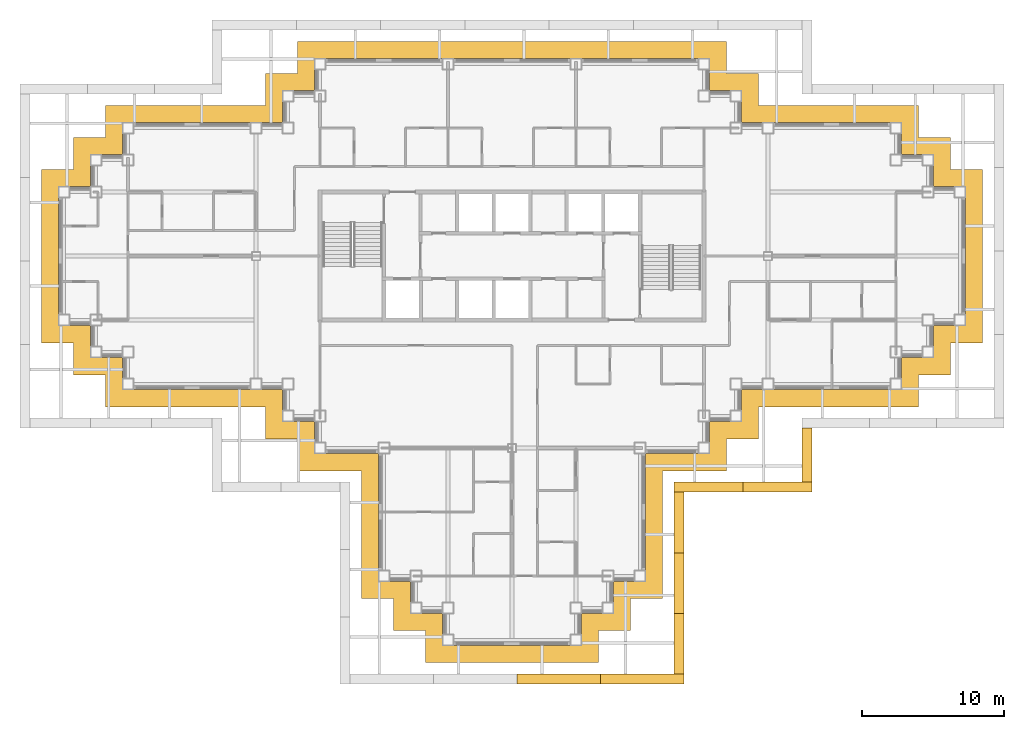
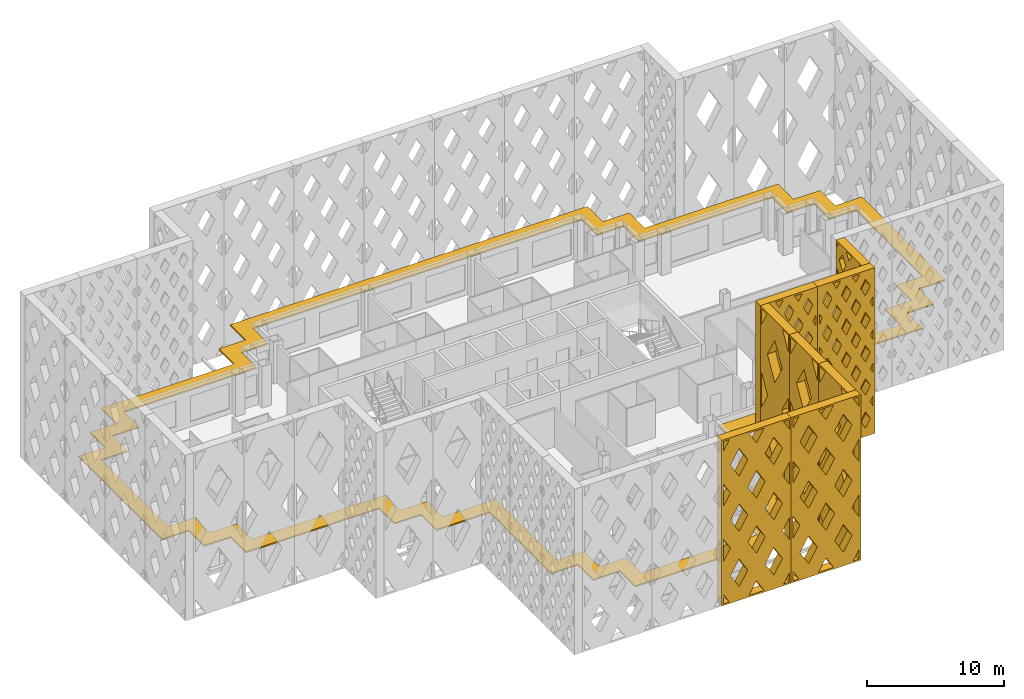
# One storey, part 15 of 19: 9 shading devices.
"""IFC4 building model written with IfcOpenShell, lengths in metres."""

from ifc_helpers import new_model, si_unit, direction, frame, origin, place, context, subcontext, project, spatial, polyline, outline, extrude, material, layer, layer_set, type_object, element, save


model = new_model("IFC4")

# Units and contexts
model_context = context("Model", 3, precision=1e-05, world=origin(), true_north=direction((0.0, 1.0)))
body_context = subcontext(model_context, "Body", "Model", "MODEL_VIEW")
ifc_project = project(units=[si_unit("LENGTHUNIT", "METRE"), si_unit("AREAUNIT", "SQUARE_METRE"), si_unit("VOLUMEUNIT", "CUBIC_METRE"), si_unit("PLANEANGLEUNIT", "RADIAN"), si_unit("MASSUNIT", "GRAM", prefix="KILO")], contexts=[model_context])

# Site, building, storey
site_placement = place(None, origin())
site = spatial("IfcSite", under=ifc_project, at=site_placement, CompositionType="ELEMENT")
building_placement = place(site_placement, origin())
building = spatial("IfcBuilding", under=site, at=building_placement, Name="Caravel Reach Hotel and Residences", CompositionType="ELEMENT")
storey_placement = place(building_placement, frame((0.0, 0.0, 150.60009765625)))
storey = spatial("IfcBuildingStorey", under=building, at=storey_placement, Name="L37", CompositionType="ELEMENT", Elevation=150.60009765625)

# Shading devices
ifc_material_1 = material(Name="Black powder-coated aluminium", Category="aluminium")
shading_device_type_1 = type_object("IfcShadingDeviceType", Name="Diamond lattice screen panel 3800 x 14800", PredefinedType="USERDEFINED", material=ifc_material_1)
shading_device_1_placement = place(storey_placement, frame((51.89990234375, 11.10009765625, 0.0), z_axis=(1.0, 0.0, 0.0), x_axis=(0.0, 1.0, 0.0)))
element("IfcShadingDevice", 1, at=shading_device_1_placement, inside=storey, type_object=shading_device_type_1, Name="Lattice screen L37-L40 5.1", ObjectType="SCREEN", PredefinedType="USERDEFINED", context=body_context, shape_type="SweptSolid", body=[
    extrude(outline(polyline([(0.0, 0.0), (3.800048828125, 0.0), (3.800048828125, 14.800048828125), (0.0, 14.800048828125), (0.0, 0.0)]), holes=[polyline([(0.389892578125, 0.14990234375), (0.14990234375, 0.523681640625), (0.14990234375, 0.14990234375), (0.389892578125, 0.14990234375)]), polyline([(0.486083984375, 2.9599609375), (0.14990234375, 3.483642578125), (0.14990234375, 2.436279296875), (0.486083984375, 2.9599609375)]), polyline([(0.486083984375, 5.919921875), (0.14990234375, 6.44384765625), (0.14990234375, 5.396240234375), (0.486083984375, 5.919921875)]), polyline([(0.486083984375, 8.8798828125), (0.14990234375, 9.40380859375), (0.14990234375, 8.356201171875), (0.486083984375, 8.8798828125)]), polyline([(0.486083984375, 11.840087890625), (0.14990234375, 12.36376953125), (0.14990234375, 11.316162109375), (0.486083984375, 11.840087890625)]), polyline([(0.14990234375, 14.2763671875), (0.389892578125, 14.64990234375), (0.14990234375, 14.64990234375), (0.14990234375, 14.2763671875)]), polyline([(0.949951171875, 2.237548828125), (0.4638671875, 1.47998046875), (0.949951171875, 0.72265625), (1.436279296875, 1.47998046875), (0.949951171875, 2.237548828125)]), polyline([(0.949951171875, 5.197509765625), (0.4638671875, 4.43994140625), (0.949951171875, 3.6826171875), (1.436279296875, 4.43994140625), (0.949951171875, 5.197509765625)]), polyline([(0.949951171875, 8.157470703125), (0.4638671875, 7.39990234375), (0.949951171875, 6.642578125), (1.436279296875, 7.39990234375), (0.949951171875, 8.157470703125)]), polyline([(0.949951171875, 11.117431640625), (0.4638671875, 10.360107421875), (0.949951171875, 9.6025390625), (1.436279296875, 10.360107421875), (0.949951171875, 11.117431640625)]), polyline([(0.949951171875, 14.077392578125), (0.4638671875, 13.320068359375), (0.949951171875, 12.5625), (1.436279296875, 13.320068359375), (0.949951171875, 14.077392578125)]), polyline([(1.89990234375, 0.75732421875), (1.510009765625, 0.14990234375), (2.289794921875, 0.14990234375), (1.89990234375, 0.75732421875)]), polyline([(1.89990234375, 3.717529296875), (1.413818359375, 2.9599609375), (1.89990234375, 2.20263671875), (2.38623046875, 2.9599609375), (1.89990234375, 3.717529296875)]), polyline([(1.89990234375, 6.677490234375), (1.413818359375, 5.919921875), (1.89990234375, 5.16259765625), (2.38623046875, 5.919921875), (1.89990234375, 6.677490234375)]), polyline([(1.89990234375, 9.637451171875), (1.413818359375, 8.8798828125), (1.89990234375, 8.12255859375), (2.38623046875, 8.8798828125), (1.89990234375, 9.637451171875)]), polyline([(1.89990234375, 12.597412109375), (1.413818359375, 11.840087890625), (1.89990234375, 11.08251953125), (2.38623046875, 11.840087890625), (1.89990234375, 12.597412109375)]), polyline([(1.89990234375, 14.04248046875), (2.289794921875, 14.64990234375), (1.510009765625, 14.64990234375), (1.89990234375, 14.04248046875)]), polyline([(2.85009765625, 2.237548828125), (2.36376953125, 1.47998046875), (2.85009765625, 0.72265625), (3.336181640625, 1.47998046875), (2.85009765625, 2.237548828125)]), polyline([(2.85009765625, 5.197509765625), (2.36376953125, 4.43994140625), (2.85009765625, 3.6826171875), (3.336181640625, 4.43994140625), (2.85009765625, 5.197509765625)]), polyline([(2.85009765625, 8.157470703125), (2.36376953125, 7.39990234375), (2.85009765625, 6.642578125), (3.336181640625, 7.39990234375), (2.85009765625, 8.157470703125)]), polyline([(2.85009765625, 11.117431640625), (2.36376953125, 10.360107421875), (2.85009765625, 9.6025390625), (3.336181640625, 10.360107421875), (2.85009765625, 11.117431640625)]), polyline([(2.85009765625, 14.077392578125), (2.36376953125, 13.320068359375), (2.85009765625, 12.5625), (3.336181640625, 13.320068359375), (2.85009765625, 14.077392578125)]), polyline([(3.64990234375, 0.523681640625), (3.41015625, 0.14990234375), (3.64990234375, 0.14990234375), (3.64990234375, 0.523681640625)]), polyline([(3.313720703125, 2.9599609375), (3.64990234375, 2.436279296875), (3.64990234375, 3.483642578125), (3.313720703125, 2.9599609375)]), polyline([(3.313720703125, 5.919921875), (3.64990234375, 5.396240234375), (3.64990234375, 6.44384765625), (3.313720703125, 5.919921875)]), polyline([(3.313720703125, 8.8798828125), (3.64990234375, 8.356201171875), (3.64990234375, 9.40380859375), (3.313720703125, 8.8798828125)]), polyline([(3.313720703125, 11.840087890625), (3.64990234375, 11.316162109375), (3.64990234375, 12.36376953125), (3.313720703125, 11.840087890625)]), polyline([(3.41015625, 14.64990234375), (3.64990234375, 14.2763671875), (3.64990234375, 14.64990234375), (3.41015625, 14.64990234375)])]), origin(), (0.0, 0.0, 1.0), 0.7001953125),
])
ifc_material_2 = material(Name="Black powder-coated aluminium", Category="aluminium")
shading_device_type_2 = type_object("IfcShadingDeviceType", Name="Diamond lattice screen panel 4267 x 14800", PredefinedType="USERDEFINED", material=ifc_material_2)
for number, where, z_axis, x_axis, name in (
    (2, (42.89990234375, -2.39990234375, 0.0), (1.0, 0.0, 0.0), (0.0, 1.0, 0.0), "Lattice screen L37-L40 3.1"),
    (3, (42.89990234375, 1.86669921875, 0.0), (1.0, 0.0, 0.0), (0.0, 1.0, 0.0), "Lattice screen L37-L40 3.2"),
    (4, (42.89990234375, 6.13330078125, 0.0), (1.0, 0.0, 0.0), (0.0, 1.0, 0.0), "Lattice screen L37-L40 3.3"),
):
    element("IfcShadingDevice", number, at=place(storey_placement, frame(where, z_axis=z_axis, x_axis=x_axis)), inside=storey, type_object=shading_device_type_2, Name=name, ObjectType="SCREEN", PredefinedType="USERDEFINED", context=body_context, shape_type="SweptSolid", body=[
        extrude(outline(polyline([(0.0, 0.0), (4.2666015625, 0.0), (4.2666015625, 14.800048828125), (0.0, 14.800048828125), (0.0, 0.0)]), holes=[polyline([(1.005615234375, 0.14990234375), (0.14990234375, 1.634033203125), (0.14990234375, 0.14990234375), (1.005615234375, 0.14990234375)]), polyline([(1.092041015625, 7.39990234375), (0.14990234375, 9.033935546875), (0.14990234375, 5.76611328125), (1.092041015625, 7.39990234375)]), polyline([(0.14990234375, 13.166015625), (1.005615234375, 14.64990234375), (0.14990234375, 14.64990234375), (0.14990234375, 13.166015625)]), polyline([(2.13330078125, 5.593994140625), (1.041259765625, 3.699951171875), (2.13330078125, 1.805908203125), (3.225341796875, 3.699951171875), (2.13330078125, 5.593994140625)]), polyline([(2.13330078125, 12.994140625), (1.041259765625, 11.10009765625), (2.13330078125, 9.205810546875), (3.225341796875, 11.10009765625), (2.13330078125, 12.994140625)]), polyline([(4.11669921875, 1.634033203125), (3.260986328125, 0.14990234375), (4.11669921875, 0.14990234375), (4.11669921875, 1.634033203125)]), polyline([(3.174560546875, 7.39990234375), (4.11669921875, 5.76611328125), (4.11669921875, 9.033935546875), (3.174560546875, 7.39990234375)]), polyline([(3.260986328125, 14.64990234375), (4.11669921875, 13.166015625), (4.11669921875, 14.64990234375), (3.260986328125, 14.64990234375)])]), origin(), (0.0, 0.0, 1.0), 0.7001953125),
    ])
ifc_material_3 = material(Name="Black powder-coated aluminium", Category="aluminium")
shading_device_type_3 = type_object("IfcShadingDeviceType", Name="Diamond lattice screen panel 4850 x 14800", PredefinedType="USERDEFINED", material=ifc_material_3)
shading_device_2_placement = place(storey_placement, frame((42.89990234375, 11.10009765625, 0.0), z_axis=(0.0, -1.0, 0.0), x_axis=(1.0, 0.0, 0.0)))
element("IfcShadingDevice", 5, at=shading_device_2_placement, inside=storey, type_object=shading_device_type_3, Name="Lattice screen L37-L40 4.1", ObjectType="SCREEN", PredefinedType="USERDEFINED", context=body_context, shape_type="SweptSolid", body=[
    extrude(outline(polyline([(0.0, 0.0), (4.85009765625, 0.0), (4.85009765625, 14.800048828125), (0.0, 14.800048828125), (0.0, 0.0)]), holes=[polyline([(0.408203125, 2.9599609375), (0.14990234375, 3.432861328125), (0.14990234375, 2.4873046875), (0.408203125, 2.9599609375)]), polyline([(0.408203125, 5.919921875), (0.14990234375, 6.392822265625), (0.14990234375, 5.447265625), (0.408203125, 5.919921875)]), polyline([(0.408203125, 8.8798828125), (0.14990234375, 9.352783203125), (0.14990234375, 8.4072265625), (0.408203125, 8.8798828125)]), polyline([(0.408203125, 11.840087890625), (0.14990234375, 12.312744140625), (0.14990234375, 11.3671875), (0.408203125, 11.840087890625)]), polyline([(0.808349609375, 2.2275390625), (0.400146484375, 1.47998046875), (0.808349609375, 0.732666015625), (1.216552734375, 1.47998046875), (0.808349609375, 2.2275390625)]), polyline([(0.808349609375, 5.1875), (0.400146484375, 4.43994140625), (0.808349609375, 3.692626953125), (1.216552734375, 4.43994140625), (0.808349609375, 5.1875)]), polyline([(0.808349609375, 8.1474609375), (0.400146484375, 7.39990234375), (0.808349609375, 6.652587890625), (1.216552734375, 7.39990234375), (0.808349609375, 8.1474609375)]), polyline([(0.808349609375, 11.107421875), (0.400146484375, 10.360107421875), (0.808349609375, 9.612548828125), (1.216552734375, 10.360107421875), (0.808349609375, 11.107421875)]), polyline([(0.808349609375, 14.0673828125), (0.400146484375, 13.320068359375), (0.808349609375, 12.572509765625), (1.216552734375, 13.320068359375), (0.808349609375, 14.0673828125)]), polyline([(1.61669921875, 0.747314453125), (1.290283203125, 0.14990234375), (1.94287109375, 0.14990234375), (1.61669921875, 0.747314453125)]), polyline([(1.61669921875, 3.70751953125), (1.20849609375, 2.9599609375), (1.61669921875, 2.212646484375), (2.02490234375, 2.9599609375), (1.61669921875, 3.70751953125)]), polyline([(1.61669921875, 6.66748046875), (1.20849609375, 5.919921875), (1.61669921875, 5.172607421875), (2.02490234375, 5.919921875), (1.61669921875, 6.66748046875)]), polyline([(1.61669921875, 9.62744140625), (1.20849609375, 8.8798828125), (1.61669921875, 8.132568359375), (2.02490234375, 8.8798828125), (1.61669921875, 9.62744140625)]), polyline([(1.61669921875, 12.58740234375), (1.20849609375, 11.840087890625), (1.61669921875, 11.092529296875), (2.02490234375, 11.840087890625), (1.61669921875, 12.58740234375)]), polyline([(1.61669921875, 14.052490234375), (1.94287109375, 14.64990234375), (1.290283203125, 14.64990234375), (1.61669921875, 14.052490234375)]), polyline([(2.425048828125, 2.2275390625), (2.016845703125, 1.47998046875), (2.425048828125, 0.732666015625), (2.833251953125, 1.47998046875), (2.425048828125, 2.2275390625)]), polyline([(2.425048828125, 5.1875), (2.016845703125, 4.43994140625), (2.425048828125, 3.692626953125), (2.833251953125, 4.43994140625), (2.425048828125, 5.1875)]), polyline([(2.425048828125, 8.1474609375), (2.016845703125, 7.39990234375), (2.425048828125, 6.652587890625), (2.833251953125, 7.39990234375), (2.425048828125, 8.1474609375)]), polyline([(2.425048828125, 11.107421875), (2.016845703125, 10.360107421875), (2.425048828125, 9.612548828125), (2.833251953125, 10.360107421875), (2.425048828125, 11.107421875)]), polyline([(2.425048828125, 14.0673828125), (2.016845703125, 13.320068359375), (2.425048828125, 12.572509765625), (2.833251953125, 13.320068359375), (2.425048828125, 14.0673828125)]), polyline([(3.2333984375, 0.747314453125), (2.906982421875, 0.14990234375), (3.5595703125, 0.14990234375), (3.2333984375, 0.747314453125)]), polyline([(3.2333984375, 3.70751953125), (2.8251953125, 2.9599609375), (3.2333984375, 2.212646484375), (3.6416015625, 2.9599609375), (3.2333984375, 3.70751953125)]), polyline([(3.2333984375, 6.66748046875), (2.8251953125, 5.919921875), (3.2333984375, 5.172607421875), (3.6416015625, 5.919921875), (3.2333984375, 6.66748046875)]), polyline([(3.2333984375, 9.62744140625), (2.8251953125, 8.8798828125), (3.2333984375, 8.132568359375), (3.6416015625, 8.8798828125), (3.2333984375, 9.62744140625)]), polyline([(3.2333984375, 12.58740234375), (2.8251953125, 11.840087890625), (3.2333984375, 11.092529296875), (3.6416015625, 11.840087890625), (3.2333984375, 12.58740234375)]), polyline([(3.2333984375, 14.052490234375), (3.5595703125, 14.64990234375), (2.906982421875, 14.64990234375), (3.2333984375, 14.052490234375)]), polyline([(4.041748046875, 2.2275390625), (3.633544921875, 1.47998046875), (4.041748046875, 0.732666015625), (4.449951171875, 1.47998046875), (4.041748046875, 2.2275390625)]), polyline([(4.041748046875, 5.1875), (3.633544921875, 4.43994140625), (4.041748046875, 3.692626953125), (4.449951171875, 4.43994140625), (4.041748046875, 5.1875)]), polyline([(4.041748046875, 8.1474609375), (3.633544921875, 7.39990234375), (4.041748046875, 6.652587890625), (4.449951171875, 7.39990234375), (4.041748046875, 8.1474609375)]), polyline([(4.041748046875, 11.107421875), (3.633544921875, 10.360107421875), (4.041748046875, 9.612548828125), (4.449951171875, 10.360107421875), (4.041748046875, 11.107421875)]), polyline([(4.041748046875, 14.0673828125), (3.633544921875, 13.320068359375), (4.041748046875, 12.572509765625), (4.449951171875, 13.320068359375), (4.041748046875, 14.0673828125)]), polyline([(4.44189453125, 2.9599609375), (4.699951171875, 2.4873046875), (4.699951171875, 3.432861328125), (4.44189453125, 2.9599609375)]), polyline([(4.44189453125, 5.919921875), (4.699951171875, 5.447265625), (4.699951171875, 6.392822265625), (4.44189453125, 5.919921875)]), polyline([(4.44189453125, 8.8798828125), (4.699951171875, 8.4072265625), (4.699951171875, 9.352783203125), (4.44189453125, 8.8798828125)]), polyline([(4.44189453125, 11.840087890625), (4.699951171875, 11.3671875), (4.699951171875, 12.312744140625), (4.44189453125, 11.840087890625)])]), origin(), (0.0, 0.0, 1.0), 0.7001953125),
])
shading_device_3_placement = place(storey_placement, frame((47.75, 11.10009765625, 0.0), z_axis=(0.0, -1.0, 0.0), x_axis=(1.0, 0.0, 0.0)))
element("IfcShadingDevice", 6, at=shading_device_3_placement, inside=storey, type_object=shading_device_type_3, Name="Lattice screen L37-L40 4.2", ObjectType="SCREEN", PredefinedType="USERDEFINED", context=body_context, shape_type="SweptSolid", body=[
    extrude(outline(polyline([(0.0, 0.0), (4.85009765625, 0.0), (4.85009765625, 14.800048828125), (0.0, 14.800048828125), (0.0, 0.0)]), holes=[polyline([(0.408203125, 2.9599609375), (0.14990234375, 3.432861328125), (0.14990234375, 2.4873046875), (0.408203125, 2.9599609375)]), polyline([(0.408203125, 5.919921875), (0.14990234375, 6.392822265625), (0.14990234375, 5.447265625), (0.408203125, 5.919921875)]), polyline([(0.408203125, 8.8798828125), (0.14990234375, 9.352783203125), (0.14990234375, 8.4072265625), (0.408203125, 8.8798828125)]), polyline([(0.408203125, 11.840087890625), (0.14990234375, 12.312744140625), (0.14990234375, 11.3671875), (0.408203125, 11.840087890625)]), polyline([(0.808349609375, 2.2275390625), (0.400146484375, 1.47998046875), (0.808349609375, 0.732666015625), (1.216552734375, 1.47998046875), (0.808349609375, 2.2275390625)]), polyline([(0.808349609375, 5.1875), (0.400146484375, 4.43994140625), (0.808349609375, 3.692626953125), (1.216552734375, 4.43994140625), (0.808349609375, 5.1875)]), polyline([(0.808349609375, 8.1474609375), (0.400146484375, 7.39990234375), (0.808349609375, 6.652587890625), (1.216552734375, 7.39990234375), (0.808349609375, 8.1474609375)]), polyline([(0.808349609375, 11.107421875), (0.400146484375, 10.360107421875), (0.808349609375, 9.612548828125), (1.216552734375, 10.360107421875), (0.808349609375, 11.107421875)]), polyline([(0.808349609375, 14.0673828125), (0.400146484375, 13.320068359375), (0.808349609375, 12.572509765625), (1.216552734375, 13.320068359375), (0.808349609375, 14.0673828125)]), polyline([(1.61669921875, 0.747314453125), (1.290283203125, 0.14990234375), (1.94287109375, 0.14990234375), (1.61669921875, 0.747314453125)]), polyline([(1.61669921875, 3.70751953125), (1.20849609375, 2.9599609375), (1.61669921875, 2.212646484375), (2.02490234375, 2.9599609375), (1.61669921875, 3.70751953125)]), polyline([(1.61669921875, 6.66748046875), (1.20849609375, 5.919921875), (1.61669921875, 5.172607421875), (2.02490234375, 5.919921875), (1.61669921875, 6.66748046875)]), polyline([(1.61669921875, 9.62744140625), (1.20849609375, 8.8798828125), (1.61669921875, 8.132568359375), (2.02490234375, 8.8798828125), (1.61669921875, 9.62744140625)]), polyline([(1.61669921875, 12.58740234375), (1.20849609375, 11.840087890625), (1.61669921875, 11.092529296875), (2.02490234375, 11.840087890625), (1.61669921875, 12.58740234375)]), polyline([(1.61669921875, 14.052490234375), (1.94287109375, 14.64990234375), (1.290283203125, 14.64990234375), (1.61669921875, 14.052490234375)]), polyline([(2.425048828125, 2.2275390625), (2.016845703125, 1.47998046875), (2.425048828125, 0.732666015625), (2.833251953125, 1.47998046875), (2.425048828125, 2.2275390625)]), polyline([(2.425048828125, 5.1875), (2.016845703125, 4.43994140625), (2.425048828125, 3.692626953125), (2.833251953125, 4.43994140625), (2.425048828125, 5.1875)]), polyline([(2.425048828125, 8.1474609375), (2.016845703125, 7.39990234375), (2.425048828125, 6.652587890625), (2.833251953125, 7.39990234375), (2.425048828125, 8.1474609375)]), polyline([(2.425048828125, 11.107421875), (2.016845703125, 10.360107421875), (2.425048828125, 9.612548828125), (2.833251953125, 10.360107421875), (2.425048828125, 11.107421875)]), polyline([(2.425048828125, 14.0673828125), (2.016845703125, 13.320068359375), (2.425048828125, 12.572509765625), (2.833251953125, 13.320068359375), (2.425048828125, 14.0673828125)]), polyline([(3.2333984375, 0.747314453125), (2.906982421875, 0.14990234375), (3.5595703125, 0.14990234375), (3.2333984375, 0.747314453125)]), polyline([(3.2333984375, 3.70751953125), (2.8251953125, 2.9599609375), (3.2333984375, 2.212646484375), (3.6416015625, 2.9599609375), (3.2333984375, 3.70751953125)]), polyline([(3.2333984375, 6.66748046875), (2.8251953125, 5.919921875), (3.2333984375, 5.172607421875), (3.6416015625, 5.919921875), (3.2333984375, 6.66748046875)]), polyline([(3.2333984375, 9.62744140625), (2.8251953125, 8.8798828125), (3.2333984375, 8.132568359375), (3.6416015625, 8.8798828125), (3.2333984375, 9.62744140625)]), polyline([(3.2333984375, 12.58740234375), (2.8251953125, 11.840087890625), (3.2333984375, 11.092529296875), (3.6416015625, 11.840087890625), (3.2333984375, 12.58740234375)]), polyline([(3.2333984375, 14.052490234375), (3.5595703125, 14.64990234375), (2.906982421875, 14.64990234375), (3.2333984375, 14.052490234375)]), polyline([(4.041748046875, 2.2275390625), (3.633544921875, 1.47998046875), (4.041748046875, 0.732666015625), (4.449951171875, 1.47998046875), (4.041748046875, 2.2275390625)]), polyline([(4.041748046875, 5.1875), (3.633544921875, 4.43994140625), (4.041748046875, 3.692626953125), (4.449951171875, 4.43994140625), (4.041748046875, 5.1875)]), polyline([(4.041748046875, 8.1474609375), (3.633544921875, 7.39990234375), (4.041748046875, 6.652587890625), (4.449951171875, 7.39990234375), (4.041748046875, 8.1474609375)]), polyline([(4.041748046875, 11.107421875), (3.633544921875, 10.360107421875), (4.041748046875, 9.612548828125), (4.449951171875, 10.360107421875), (4.041748046875, 11.107421875)]), polyline([(4.041748046875, 14.0673828125), (3.633544921875, 13.320068359375), (4.041748046875, 12.572509765625), (4.449951171875, 13.320068359375), (4.041748046875, 14.0673828125)]), polyline([(4.44189453125, 2.9599609375), (4.699951171875, 2.4873046875), (4.699951171875, 3.432861328125), (4.44189453125, 2.9599609375)]), polyline([(4.44189453125, 5.919921875), (4.699951171875, 5.447265625), (4.699951171875, 6.392822265625), (4.44189453125, 5.919921875)]), polyline([(4.44189453125, 8.8798828125), (4.699951171875, 8.4072265625), (4.699951171875, 9.352783203125), (4.44189453125, 8.8798828125)]), polyline([(4.44189453125, 11.840087890625), (4.699951171875, 11.3671875), (4.699951171875, 12.312744140625), (4.44189453125, 11.840087890625)])]), origin(), (0.0, 0.0, 1.0), 0.7001953125),
])
ifc_material_4 = material(Name="Black powder-coated aluminium", Category="aluminium")
shading_device_type_4 = type_object("IfcShadingDeviceType", Name="Diamond lattice screen panel 5875 x 14800", PredefinedType="USERDEFINED", material=ifc_material_4)
shading_device_4_placement = place(storey_placement, frame((31.85009765625, -2.39990234375, 0.0), z_axis=(0.0, -1.0, 0.0), x_axis=(1.0, 0.0, 0.0)))
element("IfcShadingDevice", 7, at=shading_device_4_placement, inside=storey, type_object=shading_device_type_4, Name="Lattice screen L37-L40 2.3", ObjectType="SCREEN", PredefinedType="USERDEFINED", context=body_context, shape_type="SweptSolid", body=[
    extrude(outline(polyline([(0.0, 0.0), (5.875, 0.0), (5.875, 14.800048828125), (0.0, 14.800048828125), (0.0, 0.0)]), holes=[polyline([(0.647216796875, 0.14990234375), (0.14990234375, 0.985107421875), (0.14990234375, 0.14990234375), (0.647216796875, 0.14990234375)]), polyline([(0.736572265625, 4.933349609375), (0.14990234375, 5.91845703125), (0.14990234375, 3.9482421875), (0.736572265625, 4.933349609375)]), polyline([(0.736572265625, 9.86669921875), (0.14990234375, 10.851806640625), (0.14990234375, 8.881591796875), (0.736572265625, 9.86669921875)]), polyline([(0.14990234375, 13.81494140625), (0.647216796875, 14.64990234375), (0.14990234375, 14.64990234375), (0.14990234375, 13.81494140625)]), polyline([(1.46875, 3.70361328125), (0.732177734375, 2.466552734375), (1.46875, 1.2294921875), (2.205322265625, 2.466552734375), (1.46875, 3.70361328125)]), polyline([(1.46875, 8.636962890625), (0.732177734375, 7.39990234375), (1.46875, 6.162841796875), (2.205322265625, 7.39990234375), (1.46875, 8.636962890625)]), polyline([(1.46875, 13.5703125), (0.732177734375, 12.333251953125), (1.46875, 11.09619140625), (2.205322265625, 12.333251953125), (1.46875, 13.5703125)]), polyline([(2.9375, 1.237060546875), (2.290283203125, 0.14990234375), (3.584716796875, 0.14990234375), (2.9375, 1.237060546875)]), polyline([(2.9375, 6.17041015625), (2.200927734375, 4.933349609375), (2.9375, 3.6962890625), (3.674072265625, 4.933349609375), (2.9375, 6.17041015625)]), polyline([(2.9375, 11.103759765625), (2.200927734375, 9.86669921875), (2.9375, 8.629638671875), (3.674072265625, 9.86669921875), (2.9375, 11.103759765625)]), polyline([(2.9375, 13.56298828125), (3.584716796875, 14.64990234375), (2.290283203125, 14.64990234375), (2.9375, 13.56298828125)]), polyline([(4.40625, 3.70361328125), (3.669677734375, 2.466552734375), (4.40625, 1.2294921875), (5.142822265625, 2.466552734375), (4.40625, 3.70361328125)]), polyline([(4.40625, 8.636962890625), (3.669677734375, 7.39990234375), (4.40625, 6.162841796875), (5.142822265625, 7.39990234375), (4.40625, 8.636962890625)]), polyline([(4.40625, 13.5703125), (3.669677734375, 12.333251953125), (4.40625, 11.09619140625), (5.142822265625, 12.333251953125), (4.40625, 13.5703125)]), polyline([(5.72509765625, 0.985107421875), (5.227783203125, 0.14990234375), (5.72509765625, 0.14990234375), (5.72509765625, 0.985107421875)]), polyline([(5.138427734375, 4.933349609375), (5.72509765625, 3.9482421875), (5.72509765625, 5.91845703125), (5.138427734375, 4.933349609375)]), polyline([(5.138427734375, 9.86669921875), (5.72509765625, 8.881591796875), (5.72509765625, 10.851806640625), (5.138427734375, 9.86669921875)]), polyline([(5.227783203125, 14.64990234375), (5.72509765625, 13.81494140625), (5.72509765625, 14.64990234375), (5.227783203125, 14.64990234375)])]), origin(), (0.0, 0.0, 1.0), 0.7001953125),
])
shading_device_5_placement = place(storey_placement, frame((37.72509765625, -2.39990234375, 0.0), z_axis=(0.0, -1.0, 0.0), x_axis=(1.0, 0.0, 0.0)))
element("IfcShadingDevice", 8, at=shading_device_5_placement, inside=storey, type_object=shading_device_type_4, Name="Lattice screen L37-L40 2.4", ObjectType="SCREEN", PredefinedType="USERDEFINED", context=body_context, shape_type="SweptSolid", body=[
    extrude(outline(polyline([(0.0, 0.0), (5.875, 0.0), (5.875, 14.800048828125), (0.0, 14.800048828125), (0.0, 0.0)]), holes=[polyline([(0.647216796875, 0.14990234375), (0.14990234375, 0.985107421875), (0.14990234375, 0.14990234375), (0.647216796875, 0.14990234375)]), polyline([(0.736572265625, 4.933349609375), (0.14990234375, 5.91845703125), (0.14990234375, 3.9482421875), (0.736572265625, 4.933349609375)]), polyline([(0.736572265625, 9.86669921875), (0.14990234375, 10.851806640625), (0.14990234375, 8.881591796875), (0.736572265625, 9.86669921875)]), polyline([(0.14990234375, 13.81494140625), (0.647216796875, 14.64990234375), (0.14990234375, 14.64990234375), (0.14990234375, 13.81494140625)]), polyline([(1.46875, 3.70361328125), (0.732177734375, 2.466552734375), (1.46875, 1.2294921875), (2.205322265625, 2.466552734375), (1.46875, 3.70361328125)]), polyline([(1.46875, 8.636962890625), (0.732177734375, 7.39990234375), (1.46875, 6.162841796875), (2.205322265625, 7.39990234375), (1.46875, 8.636962890625)]), polyline([(1.46875, 13.5703125), (0.732177734375, 12.333251953125), (1.46875, 11.09619140625), (2.205322265625, 12.333251953125), (1.46875, 13.5703125)]), polyline([(2.9375, 1.237060546875), (2.290283203125, 0.14990234375), (3.584716796875, 0.14990234375), (2.9375, 1.237060546875)]), polyline([(2.9375, 6.17041015625), (2.200927734375, 4.933349609375), (2.9375, 3.6962890625), (3.674072265625, 4.933349609375), (2.9375, 6.17041015625)]), polyline([(2.9375, 11.103759765625), (2.200927734375, 9.86669921875), (2.9375, 8.629638671875), (3.674072265625, 9.86669921875), (2.9375, 11.103759765625)]), polyline([(2.9375, 13.56298828125), (3.584716796875, 14.64990234375), (2.290283203125, 14.64990234375), (2.9375, 13.56298828125)]), polyline([(4.40625, 3.70361328125), (3.669677734375, 2.466552734375), (4.40625, 1.2294921875), (5.142822265625, 2.466552734375), (4.40625, 3.70361328125)]), polyline([(4.40625, 8.636962890625), (3.669677734375, 7.39990234375), (4.40625, 6.162841796875), (5.142822265625, 7.39990234375), (4.40625, 8.636962890625)]), polyline([(4.40625, 13.5703125), (3.669677734375, 12.333251953125), (4.40625, 11.09619140625), (5.142822265625, 12.333251953125), (4.40625, 13.5703125)]), polyline([(5.72509765625, 0.985107421875), (5.227783203125, 0.14990234375), (5.72509765625, 0.14990234375), (5.72509765625, 0.985107421875)]), polyline([(5.138427734375, 4.933349609375), (5.72509765625, 3.9482421875), (5.72509765625, 5.91845703125), (5.138427734375, 4.933349609375)]), polyline([(5.138427734375, 9.86669921875), (5.72509765625, 8.881591796875), (5.72509765625, 10.851806640625), (5.138427734375, 9.86669921875)]), polyline([(5.227783203125, 14.64990234375), (5.72509765625, 13.81494140625), (5.72509765625, 14.64990234375), (5.227783203125, 14.64990234375)])]), origin(), (0.0, 0.0, 1.0), 0.7001953125),
])
ifc_material_5 = material(Name="Black powder-coated aluminium", Category="aluminium")
ifc_layer = layer(ifc_material_5, 0.1201171875)
ifc_layer_set = layer_set([ifc_layer], Name="SS1 Sunshade band 1200")
shading_device_type_5 = type_object("IfcShadingDeviceType", Name="SS1 Sunshade band 1200", PredefinedType="USERDEFINED", material=ifc_layer_set)
shading_device_6_placement = place(storey_placement, frame((0.0, 0.0, 3.039794921875)))
element("IfcShadingDevice", 9, at=shading_device_6_placement, inside=storey, type_object=shading_device_type_5, Name="Sunshade L37 1", ObjectType="SUNSHADE", PredefinedType="USERDEFINED", context=body_context, shape_type="SweptSolid", body=[
    extrude(outline(polyline([(20.89990234375, 11.89990234375), (20.89990234375, 2.89990234375), (23.14990234375, 2.89990234375), (23.14990234375, 0.64990234375), (25.39990234375, 0.64990234375), (25.39990234375, -1.60009765625), (37.60009765625, -1.60009765625), (37.60009765625, 0.64990234375), (39.85009765625, 0.64990234375), (39.85009765625, 2.89990234375), (42.10009765625, 2.89990234375), (42.10009765625, 11.89990234375), (46.60009765625, 11.89990234375), (46.60009765625, 14.14990234375), (48.85009765625, 14.14990234375), (48.85009765625, 16.39990234375), (60.10009765625, 16.39990234375), (60.10009765625, 18.64990234375), (62.35009765625, 18.64990234375), (62.35009765625, 20.89990234375), (64.60009765625, 20.89990234375), (64.60009765625, 33.10009765625), (62.35009765625, 33.10009765625), (62.35009765625, 35.35009765625), (60.10009765625, 35.35009765625), (60.10009765625, 37.60009765625), (48.85009765625, 37.60009765625), (48.85009765625, 39.85009765625), (46.60009765625, 39.85009765625), (46.60009765625, 42.10009765625), (16.39990234375, 42.10009765625), (16.39990234375, 39.85009765625), (14.14990234375, 39.85009765625), (14.14990234375, 37.60009765625), (2.89990234375, 37.60009765625), (2.89990234375, 35.35009765625), (0.64990234375, 35.35009765625), (0.64990234375, 33.10009765625), (-1.60009765625, 33.10009765625), (-1.60009765625, 20.89990234375), (0.64990234375, 20.89990234375), (0.64990234375, 18.64990234375), (2.89990234375, 18.64990234375), (2.89990234375, 16.39990234375), (14.14990234375, 16.39990234375), (14.14990234375, 14.14990234375), (16.39990234375, 14.14990234375), (16.39990234375, 11.89990234375), (20.89990234375, 11.89990234375)]), holes=[polyline([(24.35009765625, 4.10009765625), (22.10009765625, 4.10009765625), (22.10009765625, 13.10009765625), (17.60009765625, 13.10009765625), (17.60009765625, 15.35009765625), (15.35009765625, 15.35009765625), (15.35009765625, 17.60009765625), (4.10009765625, 17.60009765625), (4.10009765625, 19.85009765625), (1.85009765625, 19.85009765625), (1.85009765625, 22.10009765625), (-0.39990234375, 22.10009765625), (-0.39990234375, 31.89990234375), (1.85009765625, 31.89990234375), (1.85009765625, 34.14990234375), (4.10009765625, 34.14990234375), (4.10009765625, 36.39990234375), (15.35009765625, 36.39990234375), (15.35009765625, 38.64990234375), (17.60009765625, 38.64990234375), (17.60009765625, 40.89990234375), (45.39990234375, 40.89990234375), (45.39990234375, 38.64990234375), (47.64990234375, 38.64990234375), (47.64990234375, 36.39990234375), (58.89990234375, 36.39990234375), (58.89990234375, 34.14990234375), (61.14990234375, 34.14990234375), (61.14990234375, 31.89990234375), (63.39990234375, 31.89990234375), (63.39990234375, 22.10009765625), (61.14990234375, 22.10009765625), (61.14990234375, 19.85009765625), (58.89990234375, 19.85009765625), (58.89990234375, 17.60009765625), (47.64990234375, 17.60009765625), (47.64990234375, 15.35009765625), (45.39990234375, 15.35009765625), (45.39990234375, 13.10009765625), (40.89990234375, 13.10009765625), (40.89990234375, 4.10009765625), (38.64990234375, 4.10009765625), (38.64990234375, 1.85009765625), (36.39990234375, 1.85009765625), (36.39990234375, -0.39990234375), (26.60009765625, -0.39990234375), (26.60009765625, 1.85009765625), (24.35009765625, 1.85009765625), (24.35009765625, 4.10009765625)])]), origin(), (0.0, 0.0, 1.0), 0.1201171875),
])

save(model, "model.ifc")
